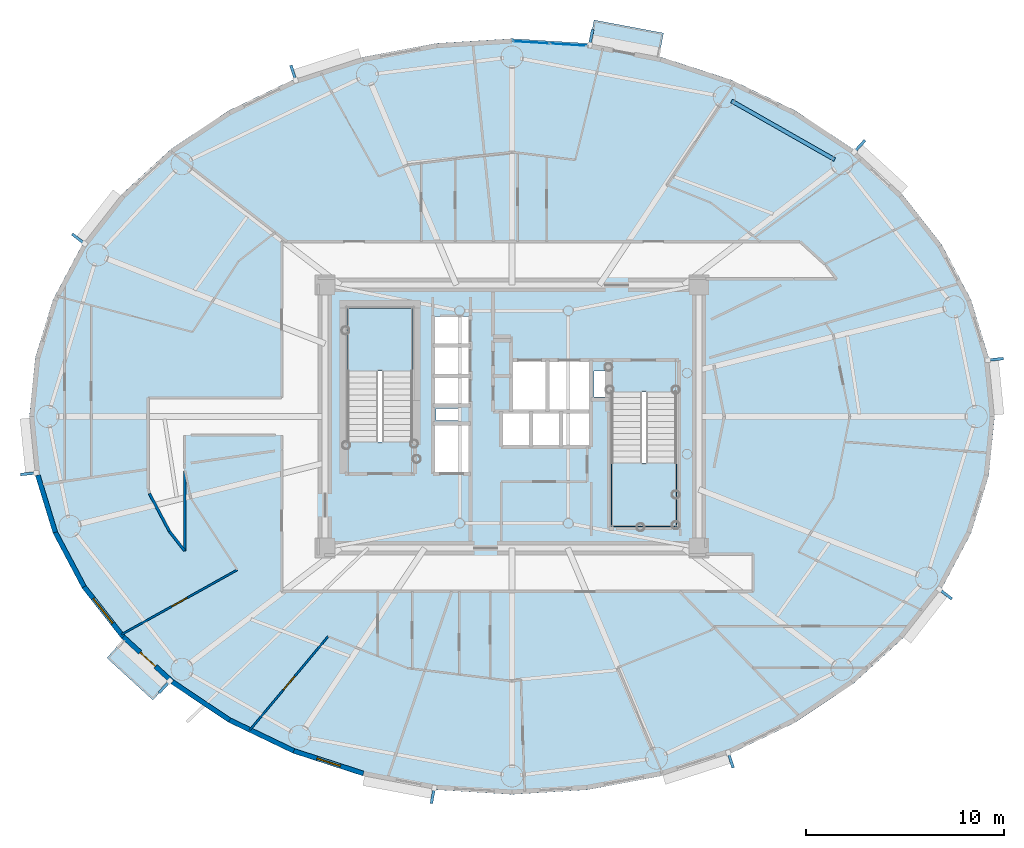
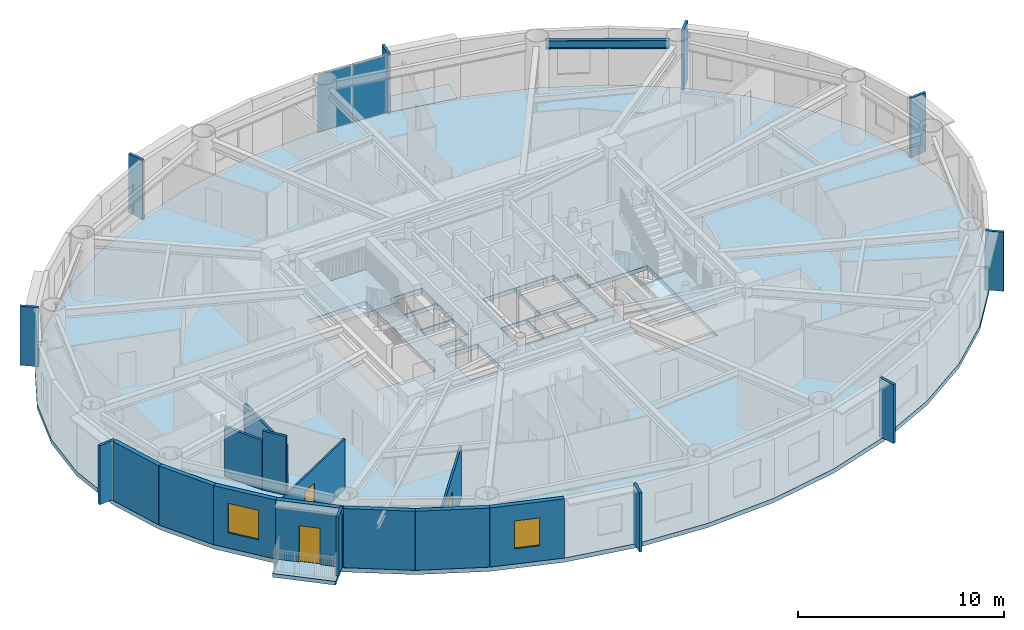
# One storey, part 5 of 18: 12 plates, 12 walls, 5 slabs, 3 doors, 2 windows, 1 beam, 5 openings, 3 elements without a shape of their own.
"""IFC4 building model written with IfcOpenShell, lengths in metres."""

from ifc_helpers import new_model, si_unit, direction, frame, frame_2d, origin, origin_2d, place, context, subcontext, project, spatial, polyline, rectangle, i_section, outline, extrude, source, transform, mapped, material, layer, layer_set, material_profile, profile_set, type_object, element, fill, aggregate, save


model = new_model("IFC4")

# Units and contexts
model_context = context("Model", 3, precision=1e-05, world=origin(), true_north=direction((0.0, 1.0)))
body_context = subcontext(model_context, "Body", "Model", "MODEL_VIEW")
ifc_project = project(units=[si_unit("LENGTHUNIT", "METRE"), si_unit("AREAUNIT", "SQUARE_METRE"), si_unit("VOLUMEUNIT", "CUBIC_METRE"), si_unit("PLANEANGLEUNIT", "RADIAN"), si_unit("MASSUNIT", "GRAM", prefix="KILO")], contexts=[model_context])

# Site, building, storey
site_placement = place(None, origin())
site = spatial("IfcSite", under=ifc_project, at=site_placement, CompositionType="ELEMENT")
building_placement = place(site_placement, origin())
building = spatial("IfcBuilding", under=site, at=building_placement, Name="Linh Dai School and Residence Tower", CompositionType="ELEMENT")
storey_placement = place(building_placement, frame((0.0, 0.0, 240.300048828125)))
storey = spatial("IfcBuildingStorey", under=building, at=storey_placement, Name="L59", CompositionType="ELEMENT", Elevation=240.300048828125)

# Beam
ifc_material_1 = material(Name="Structural Steel S355JR", Category="steel")
ifc_material_profile = material_profile(ifc_material_1, i_section(OverallWidth=0.199951171875, OverallDepth=0.5, WebThickness=0.01025390625, FlangeThickness=0.01611328125, FilletRadius=0.02099609375, at=origin_2d()), Name="IPE 500")
ifc_profile_set = profile_set([ifc_material_profile], Name="Structural Steel S355JR")
beam_type = type_object("IfcBeamType", Name="BM-RB50", PredefinedType="BEAM", material=ifc_profile_set)
beam_placement = place(storey_placement, frame((52.318115234375, 39.988525390625, 3.25), z_axis=(-0.869297314463, 0.494289570058, 0.0), x_axis=(-0.494289570058, -0.869297314463, 0.0)))
element("IfcBeam", 1, at=beam_placement, inside=storey, type_object=beam_type, Name="L59 Perimeter Elliptical Ring Beam 03", PredefinedType="BEAM", context=body_context, shape_type="SweptSolid", body=[
    extrude(i_section(OverallWidth=0.199951171875, OverallDepth=0.5, WebThickness=0.01025390625, FlangeThickness=0.01611328125, FilletRadius=0.02099609375, at=origin_2d()), origin(), (0.0, 0.0, 1.0), 6.003173828125),
])

# Slabs
ifc_material_2 = material(Name="Concrete B45 (C35/45)", Category="concrete")
ifc_layer_1 = layer(ifc_material_2, 0.219970703125)
ifc_layer_set_1 = layer_set([ifc_layer_1], Name="Concrete B45 (C35/45)")
slab_type_1 = type_object("IfcSlabType", Name="SLB-BALC-220", PredefinedType="FLOOR", material=ifc_layer_set_1)
slab_1_placement = place(storey_placement, frame((0.0, 0.0, -0.219970703125)))
element("IfcSlab", 2, at=slab_1_placement, inside=storey, type_object=slab_type_1, Name="L59 Sliding Balcony Slab 09", PredefinedType="FLOOR", context=body_context, shape_type="SweptSolid", body=[
    extrude(outline(polyline([(39.908203125, 45.771484375), (43.419189453125, 45.111572265625), (43.659423828125, 46.38916015625), (40.1484375, 47.049072265625), (39.908203125, 45.771484375)])), origin(), (0.0, 0.0, 1.0), 0.219970703125),
])
slab_2_placement = place(storey_placement, frame((0.0, 0.0, -0.219970703125)))
element("IfcSlab", 3, at=slab_2_placement, inside=storey, type_object=slab_type_1, Name="L59 Sliding Balcony Slab 25", PredefinedType="FLOOR", context=body_context, shape_type="SweptSolid", body=[
    extrude(outline(polyline([(18.719482421875, 13.62353515625), (16.39501953125, 15.754638671875), (15.516357421875, 14.79638671875), (17.841064453125, 12.665283203125), (18.719482421875, 13.62353515625)])), origin(), (0.0, 0.0, 1.0), 0.219970703125),
])
ifc_layer_2 = layer(ifc_material_2, 0.25)
ifc_layer_set_2 = layer_set([ifc_layer_2], Name="Concrete B45 (C35/45)")
slab_type_2 = type_object("IfcSlabType", Name="SLB-FLR250", PredefinedType="FLOOR", material=ifc_layer_set_2)
slab_3_placement = place(storey_placement, frame((0.0, 0.0, -0.25)))
element("IfcSlab", 4, at=slab_3_placement, inside=storey, type_object=slab_type_2, Name="L59 Composite Structural Floor Slab", PredefinedType="FLOOR", context=body_context, shape_type="SweptSolid", body=[
    extrude(outline(polyline([(60.39990234375, 27.0), (60.099609375, 29.98876953125), (59.205810546875, 32.90380859375), (57.740478515625, 35.673583984375), (55.739990234375, 38.229736328125), (53.25341796875, 40.50927734375), (50.342041015625, 42.456298828125), (47.077392578125, 44.022705078125), (43.5400390625, 45.169921875), (39.81689453125, 45.869873046875), (36.0, 46.10498046875), (32.18310546875, 45.869873046875), (28.4599609375, 45.169921875), (24.922607421875, 44.022705078125), (21.657958984375, 42.456298828125), (18.74658203125, 40.50927734375), (16.260009765625, 38.229736328125), (14.259521484375, 35.673583984375), (12.794189453125, 32.90380859375), (11.900390625, 29.98876953125), (11.60009765625, 27.0), (11.900390625, 24.01123046875), (12.794189453125, 21.09619140625), (14.259521484375, 18.326416015625), (16.260009765625, 15.770263671875), (18.74658203125, 13.49072265625), (21.657958984375, 11.543701171875), (24.922607421875, 9.977294921875), (28.4599609375, 8.830078125), (32.18310546875, 8.130126953125), (36.0, 7.89501953125), (39.81689453125, 8.130126953125), (43.5400390625, 8.830078125), (47.077392578125, 9.977294921875), (50.342041015625, 11.543701171875), (53.25341796875, 13.49072265625), (55.739990234375, 15.770263671875), (57.740478515625, 18.326416015625), (59.205810546875, 21.09619140625), (60.099609375, 24.01123046875), (60.39990234375, 27.0)]), holes=[polyline([(30.97998046875, 25.699951171875), (30.97998046875, 32.5), (27.679931640625, 32.5), (27.679931640625, 25.699951171875), (30.97998046875, 25.699951171875)]), polyline([(41.02001953125, 28.25), (41.02001953125, 21.449951171875), (44.320068359375, 21.449951171875), (44.320068359375, 28.25), (41.02001953125, 28.25)]), polyline([(35.97998046875, 27.280029296875), (37.77001953125, 27.280029296875), (37.77001953125, 29.820068359375), (35.97998046875, 29.820068359375), (35.97998046875, 27.280029296875)]), polyline([(32.030029296875, 24.1298828125), (33.8701171875, 24.1298828125), (33.8701171875, 26.6201171875), (32.030029296875, 26.6201171875), (32.030029296875, 24.1298828125)]), polyline([(37.830078125, 27.280029296875), (39.969970703125, 27.280029296875), (39.969970703125, 29.820068359375), (37.830078125, 29.820068359375), (37.830078125, 27.280029296875)]), polyline([(32.030029296875, 27.580078125), (33.8701171875, 27.580078125), (33.8701171875, 29.030029296875), (32.030029296875, 29.030029296875), (32.030029296875, 27.580078125)]), polyline([(32.030029296875, 29.090087890625), (33.8701171875, 29.090087890625), (33.8701171875, 30.550048828125), (32.030029296875, 30.550048828125), (32.030029296875, 29.090087890625)]), polyline([(32.030029296875, 30.610107421875), (33.8701171875, 30.610107421875), (33.8701171875, 32.070068359375), (32.030029296875, 32.070068359375), (32.030029296875, 30.610107421875)]), polyline([(35.47998046875, 25.47998046875), (36.929931640625, 25.47998046875), (36.929931640625, 27.219970703125), (35.47998046875, 27.219970703125), (35.47998046875, 25.47998046875)]), polyline([(36.989990234375, 25.47998046875), (38.449951171875, 25.47998046875), (38.449951171875, 27.219970703125), (36.989990234375, 27.219970703125), (36.989990234375, 25.47998046875)]), polyline([(38.510009765625, 25.47998046875), (39.969970703125, 25.47998046875), (39.969970703125, 27.219970703125), (38.510009765625, 27.219970703125), (38.510009765625, 25.47998046875)]), polyline([(40.14990234375, 28.0), (40.14990234375, 29.300048828125), (41.0, 29.300048828125), (41.0, 28.280029296875), (40.989990234375, 28.280029296875), (40.989990234375, 28.0), (40.14990234375, 28.0)]), polyline([(32.14990234375, 26.800048828125), (33.35009765625, 26.800048828125), (33.35009765625, 27.39990234375), (32.14990234375, 27.39990234375), (32.14990234375, 26.800048828125)])]), origin(), (0.0, 0.0, 1.0), 0.25),
])

# Stair, slab
stair_type = type_object("IfcStairType", Name="ST-DOG-1550-R1442", PredefinedType="HALF_TURN_STAIR", material=ifc_material_2)
stair_1_placement = place(storey_placement, origin())
stair_1 = element("IfcStair", 5, at=stair_1_placement, inside=storey, type_object=stair_type, Name="L59 Core Smokeproof Exit Stair ST1", PredefinedType="HALF_TURN_STAIR")
ifc_layer_3 = layer(ifc_material_2, 0.199951171875)
ifc_layer_set_3 = layer_set([ifc_layer_3], Name="Concrete B45 (C35/45)")
slab_type_3 = type_object("IfcSlabType", Name="SLB-ST-LANDING-200", PredefinedType="LANDING", material=ifc_layer_set_3)
slab_4_placement = place(storey_placement, frame((0.0, 0.0, 1.675048828125)))
slab_4 = element("IfcSlab", 6, at=slab_4_placement, type_object=slab_type_3, Name="ST1 landing 1", PredefinedType="LANDING", context=body_context, shape_type="SweptSolid", body=[
    extrude(outline(polyline([(30.97998046875, 29.300048828125), (30.97998046875, 32.5), (27.679931640625, 32.5), (27.679931640625, 29.300048828125), (30.97998046875, 29.300048828125)])), origin(), (0.0, 0.0, 1.0), 0.199951171875),
])
aggregate(stair_1, [slab_4])

stair_2_placement = place(storey_placement, origin())
stair_2 = element("IfcStair", 7, at=stair_2_placement, inside=storey, type_object=stair_type, Name="L59 Core Smokeproof Exit Stair ST2", PredefinedType="HALF_TURN_STAIR")
slab_5_placement = place(storey_placement, frame((0.0, 0.0, 1.675048828125)))
slab_5 = element("IfcSlab", 8, at=slab_5_placement, type_object=slab_type_3, Name="ST2 landing 1", PredefinedType="LANDING", context=body_context, shape_type="SweptSolid", body=[
    extrude(outline(polyline([(41.02001953125, 24.64990234375), (41.02001953125, 21.449951171875), (44.320068359375, 21.449951171875), (44.320068359375, 24.64990234375), (41.02001953125, 24.64990234375)])), origin(), (0.0, 0.0, 1.0), 0.199951171875),
])
aggregate(stair_2, [slab_5])

# Plates
ifc_material_3 = material(Name="Precast Concrete B45 (C35/45)", Category="concrete")
ifc_layer_4 = layer(ifc_material_3, 0.139892578125)
ifc_layer_set_4 = layer_set([ifc_layer_4], Name="Precast Concrete B45 (C35/45)")
plate_type_1 = type_object("IfcPlateType", Name="FIN-TC-900x140", PredefinedType="USERDEFINED", material=ifc_layer_set_4)
shared_shape_1 = source(origin(), body_context, "Body", "SweptSolid", [
    extrude(rectangle(XDim=0.89990234375, YDim=0.139892578125, at=origin_2d()), origin(), (0.0, 0.0, 1.0), 3.5),
])
for number, where, z_axis, x_axis, name in (
    (9, (60.39697265625, 29.885498046875, 0.0), (0.0, 0.0, 1.0), (0.99498620644, 0.100012244219, 0.0), "L59 Precast Terracotta Radial Fin 01"),
    (10, (53.541748046875, 40.632080078125, 0.0), (0.0, 0.0, 1.0), (0.675757574408, 0.737123938446, 0.0), "L59 Precast Terracotta Radial Fin 05"),
    (11, (39.995361328125, 46.12646484375, 0.0), (0.0, 0.0, 1.0), (0.18474448537, 0.982786586765, 0.0), "L59 Precast Terracotta Radial Fin 09"),
    (12, (24.95654296875, 44.33349609375, 0.0), (0.0, 0.0, 1.0), (-0.308501065272, 0.951223997135, 0.0), "L59 Precast Terracotta Radial Fin 13"),
    (13, (14.115234375, 35.952392578125, 0.0), (0.0, 0.0, 1.0), (-0.787486677066, 0.616331674867, 0.0), "L59 Precast Terracotta Radial Fin 17"),
    (14, (11.60302734375, 24.114501953125, 0.0), (0.0, 0.0, 1.0), (-0.99498620644, -0.100012244219, 0.0), "L59 Precast Terracotta Radial Fin 21"),
    (15, (18.458251953125, 13.367919921875, 0.0), (0.0, 0.0, 1.0), (-0.675756089102, -0.737125300096, 0.0), "L59 Precast Terracotta Radial Fin 25"),
    (16, (32.004638671875, 7.87353515625, 0.0), (0.0, 0.0, 1.0), (-0.18474448537, -0.982786586765, 0.0), "L59 Precast Terracotta Radial Fin 29"),
    (17, (47.04345703125, 9.66650390625, 0.0), (0.0, 0.0, 1.0), (0.308501065272, -0.951223997135, 0.0), "L59 Precast Terracotta Radial Fin 33"),
    (18, (57.884765625, 18.047607421875, 0.0), (0.0, 0.0, 1.0), (0.787485171888, -0.616333598027, 0.0), "L59 Precast Terracotta Radial Fin 37"),
):
    element("IfcPlate", number, at=place(storey_placement, frame(where, z_axis=z_axis, x_axis=x_axis)), inside=storey, type_object=plate_type_1, Name=name, ObjectType="RADIAL FIN", PredefinedType="USERDEFINED", context=body_context, shape_type="MappedRepresentation", body=[
        mapped(shared_shape_1, transform((0.0, 0.0, 0.0), x_axis=(1.0, 0.0, 0.0), y_axis=(0.0, 1.0, 0.0), z_axis=(0.0, 0.0, 1.0), scale=1.0)),
    ])

# Curtain wall, plates
ifc_material_4 = material(Name="Aluminium Anodised Curtain Wall", Category="aluminium")
ifc_layer_5 = layer(ifc_material_4, 0.14990234375)
ifc_layer_set_5 = layer_set([ifc_layer_5], Name="Aluminium Anodised Curtain Wall")
curtain_wall_type = type_object("IfcCurtainWallType", Name="CW-SYS-4", PredefinedType="USERDEFINED", material=ifc_layer_set_5)
curtain_wall_placement = place(storey_placement, origin())
curtain_wall = element("IfcCurtainWall", 19, at=curtain_wall_placement, inside=storey, type_object=curtain_wall_type, Name="L59 CW4 Curtain Wall 10", ObjectType="RIBBON CURTAIN WALL", PredefinedType="USERDEFINED")
ifc_material_5 = material(Name="Double Low-E Insulated Glazing", Category="glass")
ifc_layer_6 = layer(ifc_material_5, 0.02587890625)
ifc_layer_set_6 = layer_set([ifc_layer_6], Name="Double Low-E Insulated Glazing")
plate_type_2 = type_object("IfcPlateType", Name="CW-SYS-4-PAN", PredefinedType="CURTAIN_PANEL", material=ifc_layer_set_6)
shared_shape_2 = source(origin(), body_context, "Body", "SweptSolid", [
    extrude(rectangle(XDim=1.826416015625, YDim=0.02587890625, at=origin_2d()), origin(), (0.0, 0.0, 1.0), 3.39599609375),
])
plate_1_placement = place(storey_placement, frame((36.96337890625, 45.920654296875, 0.052001953125), z_axis=(0.0, 0.0, 1.0), x_axis=(0.998106809974, -0.061504437922, 0.0)))
plate_1 = element("IfcPlate", 20, at=plate_1_placement, type_object=plate_type_2, Name="CW4 panel 1.1", PredefinedType="CURTAIN_PANEL", context=body_context, shape_type="MappedRepresentation", body=[
    mapped(shared_shape_2, transform((0.0, 0.0, 0.0), x_axis=(1.0, 0.0, 0.0), y_axis=(0.0, 1.0, 0.0), z_axis=(0.0, 0.0, 1.0), scale=1.0)),
])
plate_2_placement = place(storey_placement, frame((38.838134765625, 45.80517578125, 0.052001953125), z_axis=(0.0, 0.0, 1.0), x_axis=(0.998106809974, -0.061504437922, 0.0)))
plate_2 = element("IfcPlate", 21, at=plate_2_placement, type_object=plate_type_2, Name="CW4 panel 2.1", PredefinedType="CURTAIN_PANEL", context=body_context, shape_type="MappedRepresentation", body=[
    mapped(shared_shape_2, transform((0.0, 0.0, 0.0), x_axis=(1.0, 0.0, 0.0), y_axis=(0.0, 1.0, 0.0), z_axis=(0.0, 0.0, 1.0), scale=1.0)),
])
aggregate(curtain_wall, [plate_1, plate_2])

# Walls
ifc_layer_7 = layer(ifc_material_3, 0.239990234375)
ifc_layer_set_7 = layer_set([ifc_layer_7], Name="Precast Concrete B45 (C35/45)")
wall_type_1 = type_object("IfcWallType", Name="EW-TC-240", PredefinedType="SOLIDWALL", material=ifc_layer_set_7)
wall_1_placement = place(storey_placement, frame((12.90966796875, 21.14404296875, 0.0), z_axis=(0.0, 0.0, 1.0), x_axis=(-0.293132907334, 0.95607170162, 0.0)))
element("IfcWall", 22, at=wall_1_placement, inside=storey, type_object=wall_type_1, Name="L59 Terracotta Exterior Wall 22", PredefinedType="SOLIDWALL", context=body_context, shape_type="SweptSolid", body=[
    extrude(rectangle(XDim=3.02490234375, YDim=0.239990234375, at=frame_2d((1.512451171875, 0.0))), origin(), (0.0, 0.0, 1.0), 3.5),
])
wall_2_placement = place(storey_placement, frame((14.3642578125, 18.394775390625, 0.0), z_axis=(0.0, 0.0, 1.0), x_axis=(-0.46766049993, 0.883908172157, 0.0)))
element("IfcWall", 23, at=wall_2_placement, inside=storey, type_object=wall_type_1, Name="L59 Terracotta Exterior Wall 23", PredefinedType="SOLIDWALL", context=body_context, shape_type="SweptSolid", body=[
    extrude(rectangle(XDim=3.1103515625, YDim=0.239990234375, at=frame_2d((1.55517578125, 0.0))), origin(), (0.0, 0.0, 1.0), 3.5),
])

# Wall, opening, window
wall_3_placement = place(storey_placement, frame((16.3515625, 15.85546875, 0.0), z_axis=(0.0, 0.0, 1.0), x_axis=(-0.616312344705, 0.787501805562, 0.0)))
wall_3 = element("IfcWall", 24, at=wall_3_placement, inside=storey, type_object=wall_type_1, Name="L59 Terracotta Exterior Wall 24", PredefinedType="SOLIDWALL", context=body_context, shape_type="SweptSolid", body=[
    extrude(rectangle(XDim=3.224609375, YDim=0.239990234375, at=frame_2d((1.6123046875, 0.0))), origin(), (0.0, 0.0, 1.0), 3.5),
])
opening_1_placement = place(wall_3_placement, frame((0.8759765625, 0.0, 0.89990234375)))
opening_1 = element("IfcOpeningElement", 25, at=opening_1_placement, cuts=wall_3, Name="Opening W2", PredefinedType="OPENING", context=body_context, shape_type="SweptSolid", body=[
    extrude(rectangle(XDim=1.60009765625, YDim=1.75, at=origin_2d()), frame((0.800048828125, 0.1298828125, 0.875), z_axis=(0.0, -1.0, 0.0), x_axis=(1.0, 0.0, 0.0)), (0.0, 0.0, 1.0), 0.260009765625),
])
window_type_1 = type_object("IfcWindowType", Name="WN-RES-1600x1750", PartitioningType="DOUBLE_PANEL_VERTICAL", PredefinedType="WINDOW", material=ifc_material_5)
shared_shape_3 = source(origin(), body_context, "Body", "SweptSolid", [
    extrude(rectangle(XDim=1.60009765625, YDim=1.75, at=origin_2d()), frame((0.800048828125, 0.030029296875, 0.875), z_axis=(0.0, -1.0, 0.0), x_axis=(1.0, 0.0, 0.0)), (0.0, 0.0, 1.0), 0.06005859375),
])
window_1_placement = place(opening_1_placement, origin())
window_1 = element("IfcWindow", 26, at=window_1_placement, inside=storey, type_object=window_type_1, Name="L59 Exterior Window 24.1", OverallHeight=1.75, OverallWidth=1.60009765625, PartitioningType="DOUBLE_PANEL_VERTICAL", PredefinedType="WINDOW", context=body_context, shape_type="MappedRepresentation", body=[
    mapped(shared_shape_3, transform((0.0, 0.0, 0.0), x_axis=(1.0, 0.0, 0.0), y_axis=(0.0, 1.0, 0.0), z_axis=(0.0, 0.0, 1.0), scale=1.0)),
])
fill(opening_1, window_1)

# Wall, opening, door
wall_4_placement = place(storey_placement, frame((18.82373046875, 13.589111328125, 0.0), z_axis=(0.0, 0.0, 1.0), x_axis=(-0.737123922599, 0.675757591694, 0.0)))
wall_4 = element("IfcWall", 27, at=wall_4_placement, inside=storey, type_object=wall_type_1, Name="L59 Terracotta Exterior Wall 25", PredefinedType="SOLIDWALL", context=body_context, shape_type="SweptSolid", body=[
    extrude(rectangle(XDim=3.353759765625, YDim=0.239990234375, at=frame_2d((1.6767578125, 0.0))), origin(), (0.0, 0.0, 1.0), 3.5),
])
opening_2_placement = place(wall_4_placement, frame((1.15185546875, 0.0, 0.0)))
opening_2 = element("IfcOpeningElement", 28, at=opening_2_placement, cuts=wall_4, Name="Opening BD1", PredefinedType="OPENING", context=body_context, shape_type="SweptSolid", body=[
    extrude(rectangle(XDim=1.050048828125, YDim=2.14990234375, at=origin_2d()), frame((0.52490234375, 0.1298828125, 1.074951171875), z_axis=(0.0, -1.0, 0.0), x_axis=(1.0, 0.0, 0.0)), (0.0, 0.0, 1.0), 0.260009765625),
])
ifc_material_6 = material(Name="Double-Glazed Balcony Door", Category="glass")
door_type_1 = type_object("IfcDoorType", Name="DR-BALC-1050x2150", OperationType="NOTDEFINED", PredefinedType="DOOR", material=ifc_material_6)
shared_shape_4 = source(origin(), body_context, "Body", "SweptSolid", [
    extrude(rectangle(XDim=1.050048828125, YDim=2.14990234375, at=origin_2d()), frame((0.52490234375, 0.02490234375, 1.074951171875), z_axis=(0.0, -1.0, 0.0), x_axis=(1.0, 0.0, 0.0)), (0.0, 0.0, 1.0), 0.050048828125),
])
door_1_placement = place(opening_2_placement, origin())
door_1 = element("IfcDoor", 29, at=door_1_placement, inside=storey, type_object=door_type_1, Name="L59 Glazed Balcony Door 25", OperationType="SINGLE_SWING_LEFT", OverallHeight=2.14990234375, OverallWidth=1.050048828125, PredefinedType="DOOR", context=body_context, shape_type="MappedRepresentation", body=[
    mapped(shared_shape_4, transform((0.0, 0.0, 0.0), x_axis=(1.0, 0.0, 0.0), y_axis=(0.0, 1.0, 0.0), z_axis=(0.0, 0.0, 1.0), scale=1.0)),
])
fill(opening_2, door_1)

# Walls
wall_5_placement = place(storey_placement, frame((21.719970703125, 11.65234375, 0.0), z_axis=(0.0, 0.0, 1.0), x_axis=(-0.831262496074, 0.555880079352, 0.0)))
element("IfcWall", 30, at=wall_5_placement, inside=storey, type_object=wall_type_1, Name="L59 Terracotta Exterior Wall 26", PredefinedType="SOLIDWALL", context=body_context, shape_type="SweptSolid", body=[
    extrude(rectangle(XDim=3.484130859375, YDim=0.239990234375, at=frame_2d((1.7421875, 0.0))), origin(), (0.0, 0.0, 1.0), 3.5),
])
wall_6_placement = place(storey_placement, frame((24.968994140625, 10.093505859375, 0.0), z_axis=(0.0, 0.0, 1.0), x_axis=(-0.901598104751, 0.432574684313, 0.0)))
element("IfcWall", 31, at=wall_6_placement, inside=storey, type_object=wall_type_1, Name="L59 Terracotta Exterior Wall 27", PredefinedType="SOLIDWALL", context=body_context, shape_type="SweptSolid", body=[
    extrude(rectangle(XDim=3.603515625, YDim=0.239990234375, at=frame_2d((1.8017578125, 0.0))), origin(), (0.0, 0.0, 1.0), 3.5),
])

# Wall, opening, window
wall_7_placement = place(storey_placement, frame((28.49072265625, 8.951171875, 0.0), z_axis=(0.0, 0.0, 1.0), x_axis=(-0.951210789182, 0.308541787354, 0.0)))
wall_7 = element("IfcWall", 32, at=wall_7_placement, inside=storey, type_object=wall_type_1, Name="L59 Terracotta Exterior Wall 28", PredefinedType="SOLIDWALL", context=body_context, shape_type="SweptSolid", body=[
    extrude(rectangle(XDim=3.702392578125, YDim=0.239990234375, at=frame_2d((1.85107421875, 0.0))), origin(), (0.0, 0.0, 1.0), 3.5),
])
opening_3_placement = place(wall_7_placement, frame((1.226318359375, 0.0, 0.89990234375)))
opening_3 = element("IfcOpeningElement", 33, at=opening_3_placement, cuts=wall_7, Name="Opening W3", PredefinedType="OPENING", context=body_context, shape_type="SweptSolid", body=[
    extrude(rectangle(XDim=1.25, YDim=1.64990234375, at=origin_2d()), frame((0.625, 0.1298828125, 0.824951171875), z_axis=(0.0, -1.0, 0.0), x_axis=(1.0, 0.0, 0.0)), (0.0, 0.0, 1.0), 0.260009765625),
])
window_type_2 = type_object("IfcWindowType", Name="WN-RES-1250x1650", PartitioningType="SINGLE_PANEL", PredefinedType="WINDOW", material=ifc_material_5)
shared_shape_5 = source(origin(), body_context, "Body", "SweptSolid", [
    extrude(rectangle(XDim=1.25, YDim=1.64990234375, at=origin_2d()), frame((0.625, 0.030029296875, 0.824951171875), z_axis=(0.0, -1.0, 0.0), x_axis=(1.0, 0.0, 0.0)), (0.0, 0.0, 1.0), 0.06005859375),
])
window_2_placement = place(opening_3_placement, origin())
window_2 = element("IfcWindow", 34, at=window_2_placement, inside=storey, type_object=window_type_2, Name="L59 Dwelling Window U5903-BD2", OverallHeight=1.64990234375, OverallWidth=1.25, PartitioningType="SINGLE_PANEL", PredefinedType="WINDOW", context=body_context, shape_type="MappedRepresentation", body=[
    mapped(shared_shape_5, transform((0.0, 0.0, 0.0), x_axis=(1.0, 0.0, 0.0), y_axis=(0.0, 1.0, 0.0), z_axis=(0.0, 0.0, 1.0), scale=1.0)),
])
fill(opening_3, window_2)

# Walls
ifc_material_7 = material(Name="Autoclaved Aerated Concrete Blockwork", Category="masonry")
ifc_layer_8 = layer(ifc_material_7, 0.135009765625)
ifc_layer_set_8 = layer_set([ifc_layer_8], Name="Autoclaved Aerated Concrete Blockwork")
wall_type_2 = type_object("IfcWallType", Name="IW-CORR-135-EI90", PredefinedType="PARTITIONING", material=ifc_layer_set_8)
wall_8_placement = place(storey_placement, frame((17.66650390625, 23.111083984375, 0.0), z_axis=(0.0, 0.0, 1.0), x_axis=(0.467675622269, -0.883900171024, 0.0)))
element("IfcWall", 35, at=wall_8_placement, inside=storey, type_object=wall_type_2, Name="L59 Interior Partition Wall 010", PredefinedType="PARTITIONING", context=body_context, shape_type="SweptSolid", body=[
    extrude(rectangle(XDim=2.16845703125, YDim=0.135009765625, at=frame_2d((1.084228515625, 0.0))), origin(), (0.0, 0.0, 1.0), 2.93505859375),
])
wall_9_placement = place(storey_placement, frame((18.6806640625, 21.1943359375, 0.0), z_axis=(0.0, 0.0, 1.0), x_axis=(0.616239706802, -0.787558647823, 0.0)))
element("IfcWall", 36, at=wall_9_placement, inside=storey, type_object=wall_type_2, Name="L59 Interior Partition Wall 011", PredefinedType="PARTITIONING", context=body_context, shape_type="SweptSolid", body=[
    extrude(rectangle(XDim=1.248291015625, YDim=0.135009765625, at=frame_2d((0.6240234375, 0.0))), origin(), (0.0, 0.0, 1.0), 3.5),
])
wall_10_placement = place(storey_placement, frame((19.449951171875, 20.211181640625, 0.0), z_axis=(0.0, 0.0, 1.0), x_axis=(0.0, 1.0, 0.0)))
element("IfcWall", 37, at=wall_10_placement, inside=storey, type_object=wall_type_2, Name="L59 Interior Partition Wall 013", PredefinedType="PARTITIONING", context=body_context, shape_type="SweptSolid", body=[
    extrude(rectangle(XDim=4.042236328125, YDim=0.135009765625, at=frame_2d((2.02099609375, 0.0))), origin(), (0.0, 0.0, 1.0), 2.93505859375),
])

# Wall, opening, door
ifc_material_8 = material(Name="Gypsum Plasterboard Acoustic Stud Partition", Category="masonry")
ifc_layer_9 = layer(ifc_material_8, 0.10009765625)
ifc_layer_set_9 = layer_set([ifc_layer_9], Name="Gypsum Plasterboard Acoustic Stud Partition")
wall_type_3 = type_object("IfcWallType", Name="IW-UNIT-100", PredefinedType="PARTITIONING", material=ifc_layer_set_9)
wall_11_placement = place(storey_placement, frame((16.250244140625, 15.97705078125, 0.0), z_axis=(0.0, 0.0, 1.0), x_axis=(0.87319302211, 0.487374543999, 0.0)))
wall_11 = element("IfcWall", 38, at=wall_11_placement, inside=storey, type_object=wall_type_3, Name="L59 Interior Partition Wall 006", PredefinedType="PARTITIONING", context=body_context, shape_type="SweptSolid", body=[
    extrude(rectangle(XDim=6.7119140625, YDim=0.10009765625, at=frame_2d((3.35595703125, 0.0))), origin(), (0.0, 0.0, 1.0), 2.98486328125),
])
opening_4_placement = place(wall_11_placement, frame((2.906005859375, 0.0, 0.0)))
opening_4 = element("IfcOpeningElement", 39, at=opening_4_placement, cuts=wall_11, Name="Opening D05", PredefinedType="OPENING", context=body_context, shape_type="SweptSolid", body=[
    extrude(rectangle(XDim=0.89990234375, YDim=2.10009765625, at=origin_2d()), frame((0.449951171875, 0.06005859375, 1.050048828125), z_axis=(0.0, -1.0, 0.0), x_axis=(1.0, 0.0, 0.0)), (0.0, 0.0, 1.0), 0.1201171875),
])
ifc_material_9 = material(Name="Engineered Timber Internal Door", Category="wood")
door_type_2 = type_object("IfcDoorType", Name="DR-INT-900x2100", OperationType="NOTDEFINED", PredefinedType="DOOR", material=ifc_material_9)
shared_shape_6 = source(origin(), body_context, "Body", "SweptSolid", [
    extrude(rectangle(XDim=0.89990234375, YDim=2.10009765625, at=origin_2d()), frame((0.449951171875, 0.02490234375, 1.050048828125), z_axis=(0.0, -1.0, 0.0), x_axis=(1.0, 0.0, 0.0)), (0.0, 0.0, 1.0), 0.050048828125),
])
door_2_placement = place(opening_4_placement, origin())
door_2 = element("IfcDoor", 40, at=door_2_placement, inside=storey, type_object=door_type_2, Name="L59 Apartment U5903 Principal Bedroom 1 Door", OperationType="SINGLE_SWING_LEFT", OverallHeight=2.10009765625, OverallWidth=0.89990234375, PredefinedType="DOOR", context=body_context, shape_type="MappedRepresentation", body=[
    mapped(shared_shape_6, transform((0.0, 0.0, 0.0), x_axis=(1.0, 0.0, 0.0), y_axis=(0.0, 1.0, 0.0), z_axis=(0.0, 0.0, 1.0), scale=1.0)),
])
fill(opening_4, door_2)

wall_12_placement = place(storey_placement, frame((22.7470703125, 11.154052734375, 0.0), z_axis=(0.0, 0.0, 1.0), x_axis=(0.641565789242, 0.767068013982, 0.0)))
wall_12 = element("IfcWall", 41, at=wall_12_placement, inside=storey, type_object=wall_type_3, Name="L59 Interior Partition Wall 019", PredefinedType="PARTITIONING", context=body_context, shape_type="SweptSolid", body=[
    extrude(rectangle(XDim=6.166748046875, YDim=0.10009765625, at=frame_2d((3.08349609375, 0.0))), origin(), (0.0, 0.0, 1.0), 2.98486328125),
])
opening_5_placement = place(wall_12_placement, frame((2.63330078125, 0.0, 0.0)))
opening_5 = element("IfcOpeningElement", 42, at=opening_5_placement, cuts=wall_12, Name="Opening D05", PredefinedType="OPENING", context=body_context, shape_type="SweptSolid", body=[
    extrude(rectangle(XDim=0.89990234375, YDim=2.10009765625, at=origin_2d()), frame((0.449951171875, 0.06005859375, 1.050048828125), z_axis=(0.0, -1.0, 0.0), x_axis=(1.0, 0.0, 0.0)), (0.0, 0.0, 1.0), 0.1201171875),
])
door_3_placement = place(opening_5_placement, origin())
door_3 = element("IfcDoor", 43, at=door_3_placement, inside=storey, type_object=door_type_2, Name="L59 Apartment U5903 Bedroom 2 Door", OperationType="SINGLE_SWING_RIGHT", OverallHeight=2.10009765625, OverallWidth=0.89990234375, PredefinedType="DOOR", context=body_context, shape_type="MappedRepresentation", body=[
    mapped(shared_shape_6, transform((0.0, 0.0, 0.0), x_axis=(1.0, 0.0, 0.0), y_axis=(0.0, 1.0, 0.0), z_axis=(0.0, 0.0, 1.0), scale=1.0)),
])
fill(opening_5, door_3)

save(model, "model.ifc")
